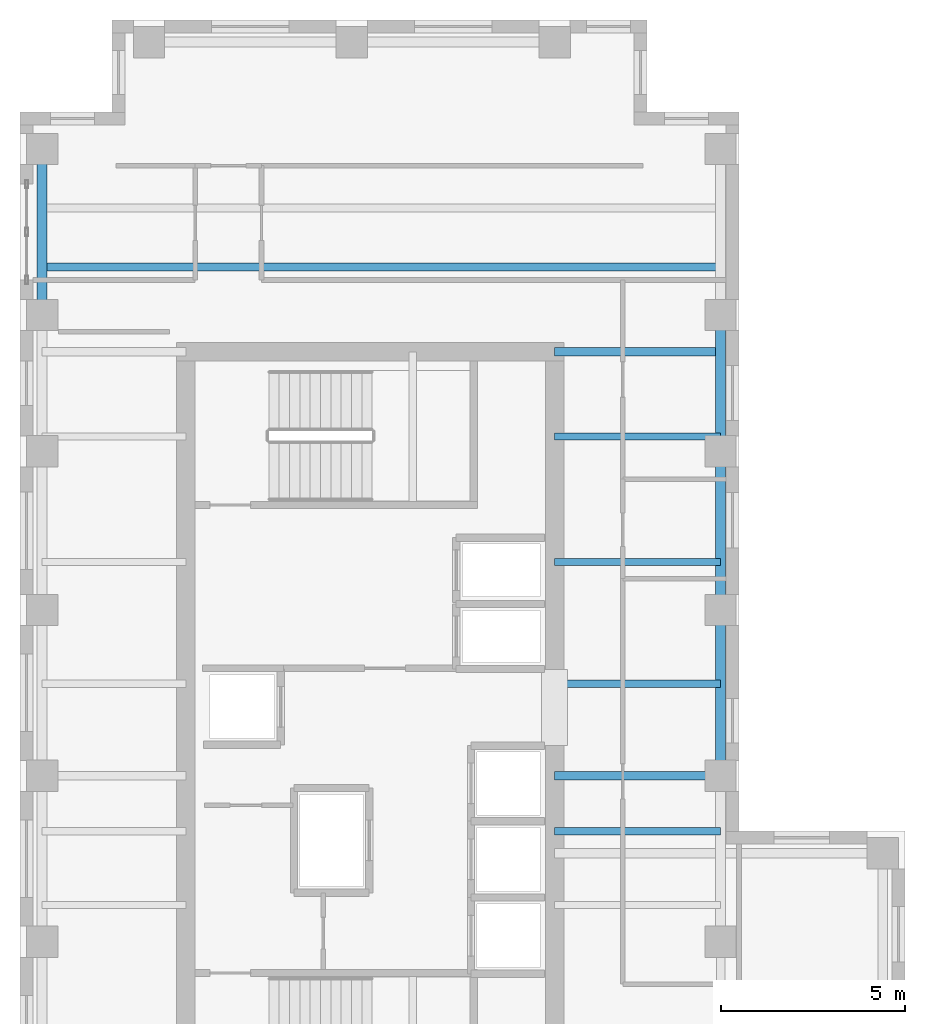
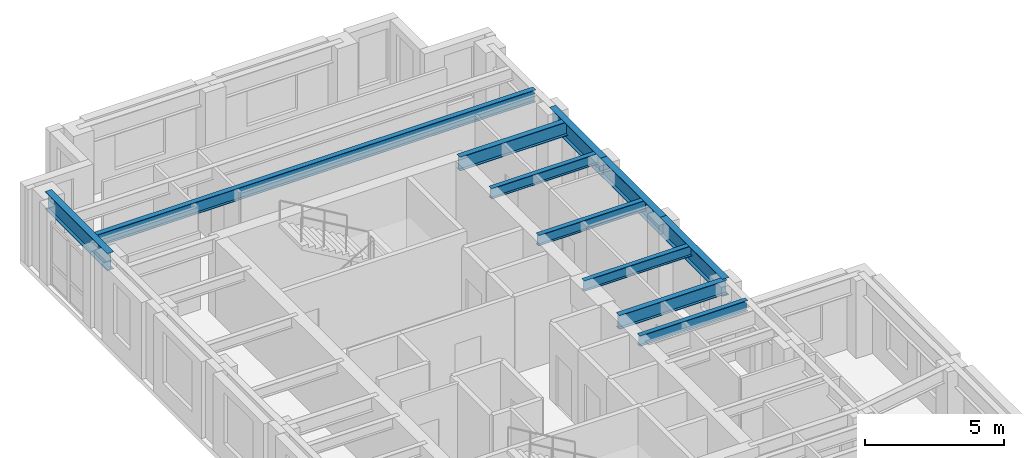
# One storey, part 3 of 10: 11 beams.
"""IFC4 building model written with IfcOpenShell, lengths in metres."""

from ifc_helpers import new_model, si_unit, direction, frame, origin, origin_2d, place, context, subcontext, project, spatial, i_section, extrude, source, transform, mapped, material, material_profile, profile_set, type_object, element, save


model = new_model("IFC4")

# Units and contexts
model_context = context("Model", 3, precision=1e-05, world=origin(), true_north=direction((0.0, 1.0)))
body_context = subcontext(model_context, "Body", "Model", "MODEL_VIEW")
ifc_project = project(units=[si_unit("LENGTHUNIT", "METRE"), si_unit("AREAUNIT", "SQUARE_METRE"), si_unit("VOLUMEUNIT", "CUBIC_METRE"), si_unit("PLANEANGLEUNIT", "RADIAN"), si_unit("MASSUNIT", "GRAM", prefix="KILO")], contexts=[model_context])

# Site, building, storey
site_placement = place(None, origin())
site = spatial("IfcSite", under=ifc_project, at=site_placement, CompositionType="ELEMENT")
building_placement = place(site_placement, origin())
building = spatial("IfcBuilding", under=site, at=building_placement, Name="Kharzan Plaza Tower", CompositionType="ELEMENT")
storey_placement = place(building_placement, frame((0.0, 0.0, 270.0)))
storey = spatial("IfcBuildingStorey", under=building, at=storey_placement, Name="L73", CompositionType="ELEMENT", Elevation=270.0)

# Beams
ifc_material = material(Name="Steel S355", Category="steel")
ifc_material_profile_1 = material_profile(ifc_material, i_section(OverallWidth=0.2099609375, OverallDepth=0.537109375, WebThickness=0.010986328125, FlangeThickness=0.017333984375, at=origin_2d()), Name="W530x101")
ifc_profile_set_1 = profile_set([ifc_material_profile_1], Name="Steel S355")
beam_type_1 = type_object("IfcBeamType", Name="BM-JST530B", PredefinedType="JOIST", material=ifc_profile_set_1)
shared_shape_1 = source(origin(), body_context, "Body", "SweptSolid", [
    extrude(i_section(OverallWidth=0.2099609375, OverallDepth=0.537109375, WebThickness=0.010986328125, FlangeThickness=0.017333984375, at=origin_2d()), origin(), (0.0, 0.0, 1.0), 18.39990234375),
])
beam_1_placement = place(storey_placement, frame((0.60009765625, 31.800048828125, 3.131591796875), z_axis=(1.0, 0.0, 0.0), x_axis=(0.0, 1.0, 0.0)))
element("IfcBeam", 1, at=beam_1_placement, inside=storey, type_object=beam_type_1, Name="L73 Wing A Composite Joist 04", PredefinedType="JOIST", context=body_context, shape_type="MappedRepresentation", body=[
    mapped(shared_shape_1, transform((0.0, 0.0, 0.0), x_axis=(1.0, 0.0, 0.0), y_axis=(0.0, 1.0, 0.0), z_axis=(0.0, 0.0, 1.0))),
])
ifc_material_profile_2 = material_profile(ifc_material, i_section(OverallWidth=0.194091796875, OverallDepth=0.468994140625, WebThickness=0.011474609375, FlangeThickness=0.0205078125, at=origin_2d()), Name="W460x106")
ifc_profile_set_2 = profile_set([ifc_material_profile_2], Name="Steel S355")
beam_type_2 = type_object("IfcBeamType", Name="BM-JST460", PredefinedType="JOIST", material=ifc_profile_set_2)
shared_shape_2 = source(origin(), body_context, "Body", "SweptSolid", [
    extrude(i_section(OverallWidth=0.194091796875, OverallDepth=0.468994140625, WebThickness=0.011474609375, FlangeThickness=0.0205078125, at=origin_2d()), origin(), (0.0, 0.0, 1.0), 4.5),
])
for number, where, z_axis, x_axis, name in (
    (2, (14.5, 16.5, 3.16552734375), (1.0, 0.0, 0.0), (0.0, 1.0, 0.0), "L73 Wing A East Infill Joist 3"),
    (3, (14.5, 20.5, 3.16552734375), (1.0, 0.0, 0.0), (0.0, 1.0, 0.0), "L73 Wing A East Infill Joist 4"),
    (4, (14.5, 23.800048828125, 3.16552734375), (1.0, 0.0, 0.0), (0.0, 1.0, 0.0), "L73 Wing A East Infill Joist 5"),
    (5, (14.5, 27.199951171875, 3.16552734375), (1.0, 0.0, 0.0), (0.0, 1.0, 0.0), "L73 Wing A East Infill Joist 6"),
):
    element("IfcBeam", number, at=place(storey_placement, frame(where, z_axis=z_axis, x_axis=x_axis)), inside=storey, type_object=beam_type_2, Name=name, PredefinedType="JOIST", context=body_context, shape_type="MappedRepresentation", body=[
        mapped(shared_shape_2, transform((0.0, 0.0, 0.0), x_axis=(1.0, 0.0, 0.0), y_axis=(0.0, 1.0, 0.0), z_axis=(0.0, 0.0, 1.0))),
    ])
ifc_material_profile_3 = material_profile(ifc_material, i_section(OverallWidth=0.22900390625, OverallDepth=0.612060546875, WebThickness=0.011962890625, FlangeThickness=0.01953125, at=origin_2d()), Name="W610x125")
ifc_profile_set_3 = profile_set([ifc_material_profile_3], Name="Steel S355")
beam_type_3 = type_object("IfcBeamType", Name="BM-FG610B", PredefinedType="BEAM", material=ifc_profile_set_3)
shared_shape_3 = source(origin(), body_context, "Body", "SweptSolid", [
    extrude(i_section(OverallWidth=0.22900390625, OverallDepth=0.612060546875, WebThickness=0.011962890625, FlangeThickness=0.01953125, at=origin_2d()), origin(), (0.0, 0.0, 1.0), 4.5),
])
for number, where, z_axis, x_axis, name in (
    (6, (14.5, 18.0, 3.093994140625), (1.0, 0.0, 0.0), (0.0, 1.0, 0.0), "L73 Core-A East Floor Girder 2"),
    (7, (14.5, 29.5, 3.093994140625), (1.0, 0.0, 0.0), (0.0, 1.0, 0.0), "L73 Core-A East Floor Girder 3"),
):
    element("IfcBeam", number, at=place(storey_placement, frame(where, z_axis=z_axis, x_axis=x_axis)), inside=storey, type_object=beam_type_3, Name=name, PredefinedType="BEAM", context=body_context, shape_type="MappedRepresentation", body=[
        mapped(shared_shape_3, transform((0.0, 0.0, 0.0), x_axis=(1.0, 0.0, 0.0), y_axis=(0.0, 1.0, 0.0), z_axis=(0.0, 0.0, 1.0))),
    ])
ifc_material_profile_4 = material_profile(ifc_material, i_section(OverallWidth=0.26708984375, OverallDepth=0.76611328125, WebThickness=0.014892578125, FlangeThickness=0.023681640625, at=origin_2d()), Name="W760x185")
ifc_profile_set_4 = profile_set([ifc_material_profile_4], Name="Steel S355")
beam_type_4 = type_object("IfcBeamType", Name="BM-SP760B", PredefinedType="SPANDREL", material=ifc_profile_set_4)
shared_shape_4 = source(origin(), body_context, "Body", "SweptSolid", [
    extrude(i_section(OverallWidth=0.26708984375, OverallDepth=0.76611328125, WebThickness=0.014892578125, FlangeThickness=0.023681640625, at=origin_2d()), origin(), (0.0, 0.0, 1.0), 4.5),
])
for number, where, z_axis, x_axis, name in (
    (8, (0.60009765625, 30.5, 3.01708984375), (0.0, 1.0, 0.0), (-1.0, 0.0, 0.0), "L73 Perimeter Tube Spandrel"),
    (9, (19.0, 18.0, 3.01708984375), (0.0, 1.0, 0.0), (-1.0, 0.0, 0.0), "L73 Perimeter Tube Spandrel"),
):
    element("IfcBeam", number, at=place(storey_placement, frame(where, z_axis=z_axis, x_axis=x_axis)), inside=storey, type_object=beam_type_4, Name=name, PredefinedType="SPANDREL", context=body_context, shape_type="MappedRepresentation", body=[
        mapped(shared_shape_4, transform((0.0, 0.0, 0.0), x_axis=(1.0, 0.0, 0.0), y_axis=(0.0, 1.0, 0.0), z_axis=(0.0, 0.0, 1.0))),
    ])
shared_shape_5 = source(origin(), body_context, "Body", "SweptSolid", [
    extrude(i_section(OverallWidth=0.26708984375, OverallDepth=0.76611328125, WebThickness=0.014892578125, FlangeThickness=0.023681640625, at=origin_2d()), origin(), (0.0, 0.0, 1.0), 4.300048828125),
])
beam_2_placement = place(storey_placement, frame((19.0, 22.5, 3.01708984375), z_axis=(0.0, 1.0, 0.0), x_axis=(-1.0, 0.0, 0.0)))
element("IfcBeam", 10, at=beam_2_placement, inside=storey, type_object=beam_type_4, Name="L73 Perimeter Tube Spandrel", PredefinedType="SPANDREL", context=body_context, shape_type="MappedRepresentation", body=[
    mapped(shared_shape_5, transform((0.0, 0.0, 0.0), x_axis=(1.0, 0.0, 0.0), y_axis=(0.0, 1.0, 0.0), z_axis=(0.0, 0.0, 1.0))),
])
shared_shape_6 = source(origin(), body_context, "Body", "SweptSolid", [
    extrude(i_section(OverallWidth=0.26708984375, OverallDepth=0.76611328125, WebThickness=0.014892578125, FlangeThickness=0.023681640625, at=origin_2d()), origin(), (0.0, 0.0, 1.0), 3.699951171875),
])
beam_3_placement = place(storey_placement, frame((19.0, 26.800048828125, 3.01708984375), z_axis=(0.0, 1.0, 0.0), x_axis=(-1.0, 0.0, 0.0)))
element("IfcBeam", 11, at=beam_3_placement, inside=storey, type_object=beam_type_4, Name="L73 Perimeter Tube Spandrel", PredefinedType="SPANDREL", context=body_context, shape_type="MappedRepresentation", body=[
    mapped(shared_shape_6, transform((0.0, 0.0, 0.0), x_axis=(1.0, 0.0, 0.0), y_axis=(0.0, 1.0, 0.0), z_axis=(0.0, 0.0, 1.0))),
])

save(model, "model.ifc")
